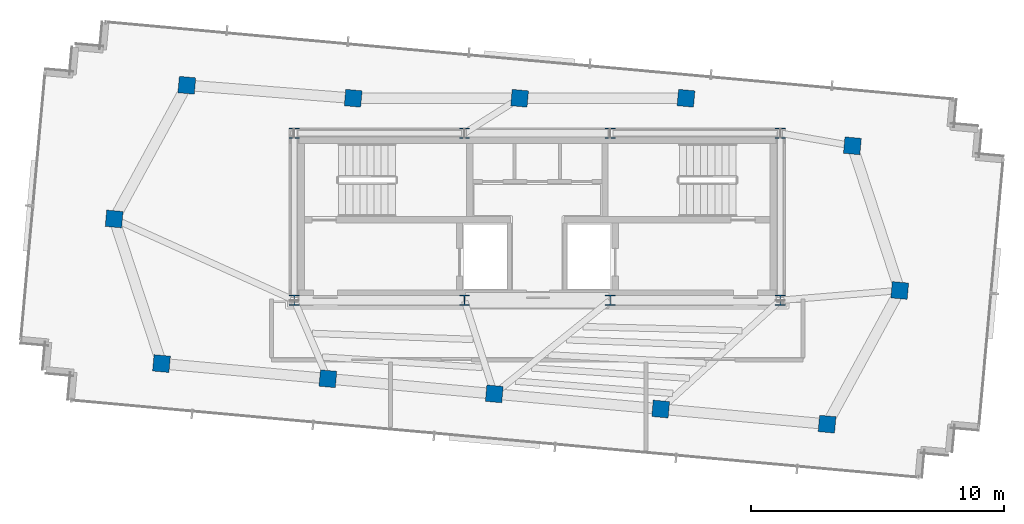
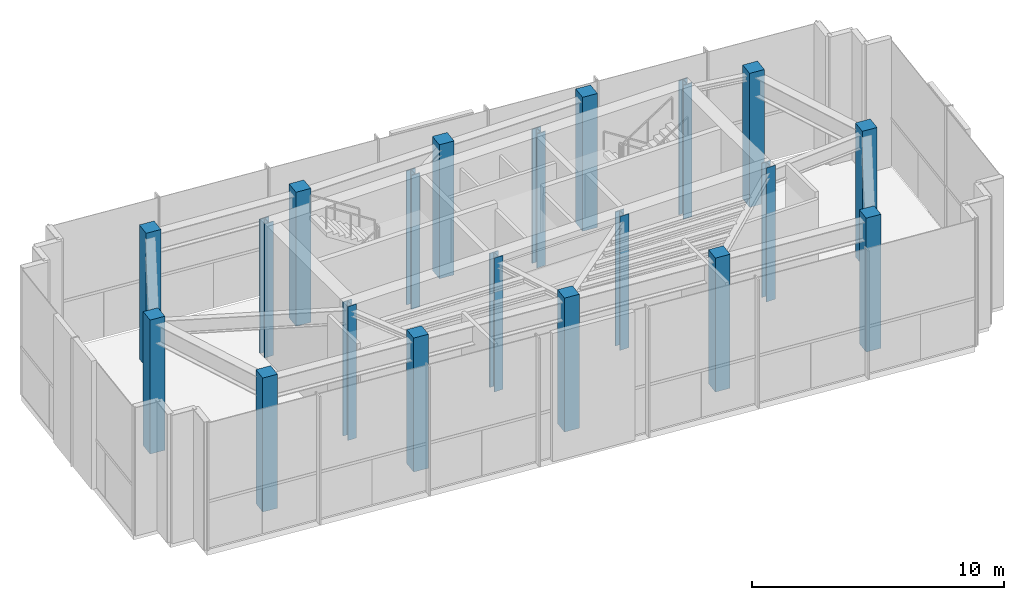
# One storey, part 1 of 19: 20 columns.
"""IFC4 building model written with IfcOpenShell, lengths in metres."""

from ifc_helpers import new_model, si_unit, direction, frame, origin, origin_2d, place, context, subcontext, project, spatial, rectangle, i_section, extrude, source, transform, mapped, material, material_profile, profile_set, type_object, type_shapes, element, save


model = new_model("IFC4")

# Units and contexts
model_context = context("Model", 3, precision=1e-05, world=origin(), true_north=direction((0.0, 1.0)))
body_context = subcontext(model_context, "Body", "Model", "MODEL_VIEW")
ifc_project = project(units=[si_unit("LENGTHUNIT", "METRE"), si_unit("AREAUNIT", "SQUARE_METRE"), si_unit("VOLUMEUNIT", "CUBIC_METRE"), si_unit("PLANEANGLEUNIT", "RADIAN"), si_unit("MASSUNIT", "GRAM", prefix="KILO")], contexts=[model_context])

# Site, building, storey
site_placement = place(None, origin())
site = spatial("IfcSite", under=ifc_project, at=site_placement, CompositionType="ELEMENT")
building_placement = place(site_placement, origin())
building = spatial("IfcBuilding", under=site, at=building_placement, Name="Astriad Promenade Condominiums", CompositionType="ELEMENT")
storey_placement = place(building_placement, frame((0.0, 0.0, 283.800048828125)))
storey = spatial("IfcBuildingStorey", under=building, at=storey_placement, Name="L79", CompositionType="ELEMENT", Elevation=283.800048828125)

# Columns
ifc_material_1 = material(Name="Steel ASTM A992 Grade 50", Category="steel")
ifc_material_profile_1 = material_profile(ifc_material_1, i_section(OverallWidth=0.403564453125, OverallDepth=0.407470703125, WebThickness=0.027099609375, FlangeThickness=0.043701171875, FilletRadius=0.017822265625, at=origin_2d()), Name="W14X233")
ifc_profile_set_1 = profile_set([ifc_material_profile_1], Name="Steel ASTM A992 Grade 50")
column_type_1 = type_object("IfcColumnType", Name="STEEL CORE PILASTER W14X233", PredefinedType="PILASTER", material=ifc_profile_set_1)
shared_shape_1 = source(origin(), body_context, "Body", "SweptSolid", [
    extrude(i_section(OverallWidth=0.403564453125, OverallDepth=0.407470703125, WebThickness=0.027099609375, FlangeThickness=0.043701171875, FilletRadius=0.017822265625, at=origin_2d()), origin(), (0.0, 0.0, 1.0), 6.49609375),
])
type_shapes(column_type_1, [shared_shape_1])
for number, where, z_axis, x_axis, name in (
    (1, (26.39990234375, 17.39990234375, 0.001953125), (0.0, 0.0, 1.0), (1.0, 0.0, 0.0), "Core Pilaster Column CP1 (L79)"),
    (2, (33.1201171875, 17.39990234375, 0.001953125), (0.0, 0.0, 1.0), (1.0, 0.0, 0.0), "Core Pilaster Column CP2 (L79)"),
    (3, (38.8798828125, 17.39990234375, 0.001953125), (0.0, 0.0, 1.0), (1.0, 0.0, 0.0), "Core Pilaster Column CP3 (L79)"),
    (4, (45.60009765625, 17.39990234375, 0.001953125), (0.0, 0.0, 1.0), (1.0, 0.0, 0.0), "Core Pilaster Column CP4 (L79)"),
    (5, (26.39990234375, 24.0, 0.001953125), (0.0, 0.0, 1.0), (1.0, 0.0, 0.0), "Core Pilaster Column CP5 (L79)"),
    (6, (33.1201171875, 24.0, 0.001953125), (0.0, 0.0, 1.0), (1.0, 0.0, 0.0), "Core Pilaster Column CP6 (L79)"),
    (7, (38.8798828125, 24.0, 0.001953125), (0.0, 0.0, 1.0), (1.0, 0.0, 0.0), "Core Pilaster Column CP7 (L79)"),
    (8, (45.60009765625, 24.0, 0.001953125), (0.0, 0.0, 1.0), (1.0, 0.0, 0.0), "Core Pilaster Column CP8 (L79)"),
):
    element("IfcColumn", number, at=place(storey_placement, frame(where, z_axis=z_axis, x_axis=x_axis)), inside=storey, type_object=column_type_1, Name=name, PredefinedType="PILASTER", context=body_context, shape_type="MappedRepresentation", body=[
        mapped(shared_shape_1, transform((0.0, 0.0, 0.0), scale=1.0)),
    ])
ifc_material_2 = material(Name="Concrete C50/60", Category="concrete")
ifc_material_profile_2 = material_profile(ifc_material_2, rectangle(XDim=0.64990234375, YDim=0.64990234375, at=origin_2d()), Name="RC-COL-650X650")
ifc_profile_set_2 = profile_set([ifc_material_profile_2], Name="Concrete C50/60")
column_type_2 = type_object("IfcColumnType", Name="CONCRETE CROWN COLUMN 650X650", PredefinedType="COLUMN", material=ifc_profile_set_2)
shared_shape_2 = source(origin(), body_context, "Body", "SweptSolid", [
    extrude(rectangle(XDim=0.64990234375, YDim=0.64990234375, at=origin_2d()), origin(), (0.0, 0.0, 1.0), 6.49609375),
])
type_shapes(column_type_2, [shared_shape_2])
for number, where, z_axis, x_axis, name in (
    (9, (21.154052734375, 14.899169921875, 0.001953125), (0.0, 0.0, 1.0), (0.995884398616, -0.090632580198, 0.0), "Perimeter Column PC01 (L79)"),
    (10, (27.726806640625, 14.30078125, 0.001953125), (0.0, 0.0, 1.0), (0.995884398616, -0.090632580198, 0.0), "Perimeter Column PC02 (L79)"),
    (11, (34.2998046875, 13.70263671875, 0.001953125), (0.0, 0.0, 1.0), (0.995884398616, -0.090632580198, 0.0), "Perimeter Column PC03 (L79)"),
    (12, (40.87255859375, 13.1044921875, 0.001953125), (0.0, 0.0, 1.0), (0.995884398616, -0.090632580198, 0.0), "Perimeter Column PC04 (L79)"),
    (13, (47.4453125, 12.50634765625, 0.001953125), (0.0, 0.0, 1.0), (0.995884398616, -0.090632580198, 0.0), "Perimeter Column PC05 (L79)"),
    (14, (22.154541015625, 25.8935546875, 0.001953125), (0.0, 0.0, 1.0), (0.995884398616, -0.090632580198, 0.0), "Perimeter Column PC06 (L79)"),
    (15, (28.7275390625, 25.3798828125, 0.001953125), (0.0, 0.0, 1.0), (0.995884398616, -0.090632580198, 0.0), "Perimeter Column PC07 (L79)"),
    (16, (35.30029296875, 25.3798828125, 0.001953125), (0.0, 0.0, 1.0), (0.995884398616, -0.090632580198, 0.0), "Perimeter Column PC08 (L79)"),
    (17, (41.873046875, 25.3798828125, 0.001953125), (0.0, 0.0, 1.0), (0.995884398616, -0.090632580198, 0.0), "Perimeter Column PC09 (L79)"),
    (18, (48.446044921875, 23.5009765625, 0.001953125), (0.0, 0.0, 1.0), (0.995884398616, -0.090632580198, 0.0), "Perimeter Column PC10 (L79)"),
    (19, (19.2841796875, 20.612060546875, 0.001953125), (0.0, 0.0, 1.0), (0.995884398616, -0.090632580198, 0.0), "Perimeter Column PC11 (L79)"),
    (20, (50.31591796875, 17.787841796875, 0.001953125), (0.0, 0.0, 1.0), (0.995884398616, -0.090632580198, 0.0), "Perimeter Column PC12 (L79)"),
):
    element("IfcColumn", number, at=place(storey_placement, frame(where, z_axis=z_axis, x_axis=x_axis)), inside=storey, type_object=column_type_2, Name=name, PredefinedType="COLUMN", context=body_context, shape_type="MappedRepresentation", body=[
        mapped(shared_shape_2, transform((0.0, 0.0, 0.0), scale=1.0)),
    ])

save(model, "model.ifc")
